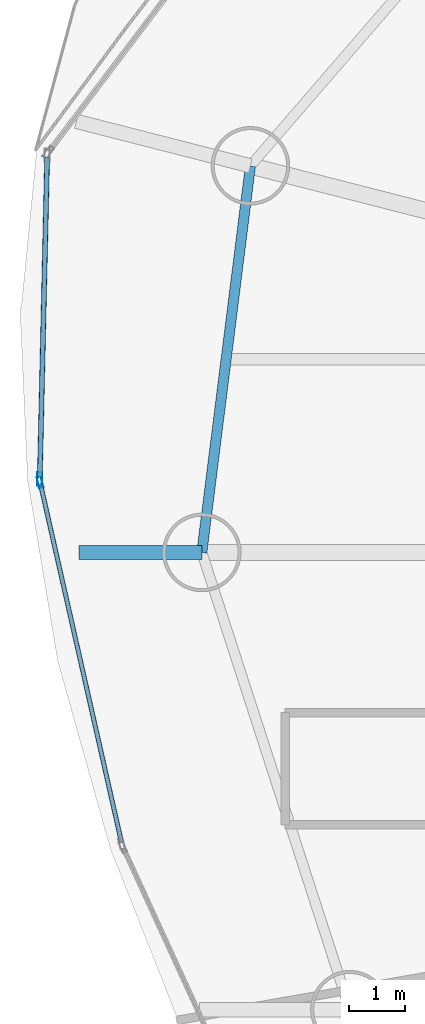
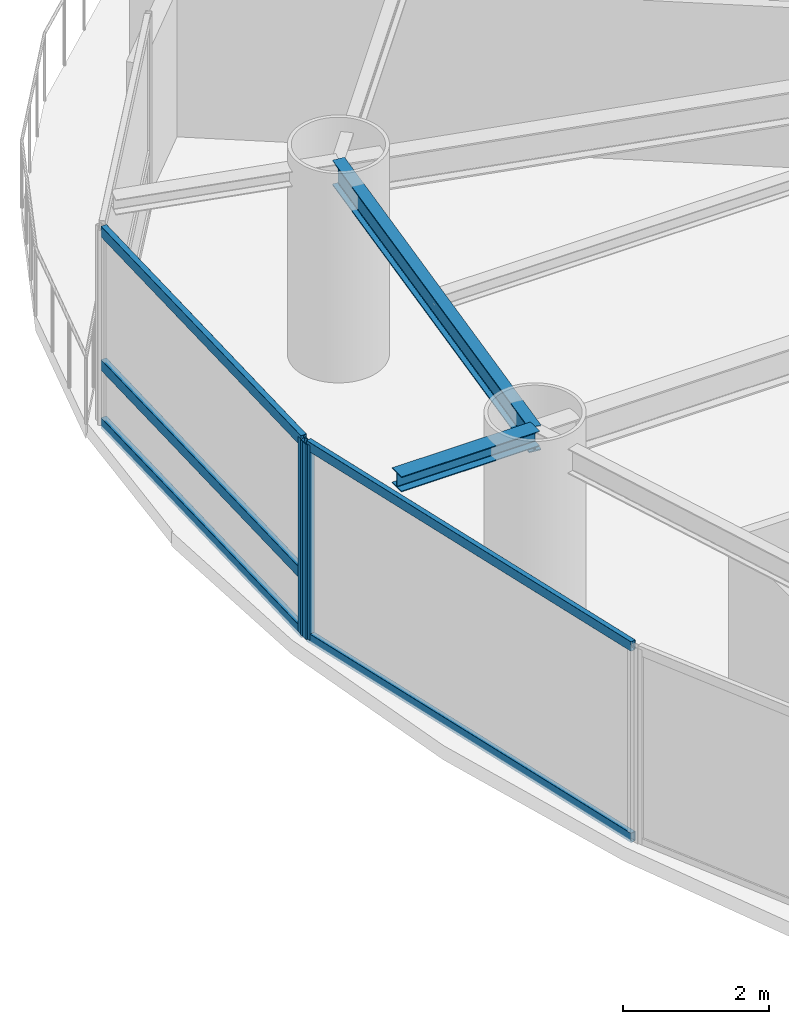
# One storey, part 6 of 20: 7 members, 2 beams, 2 elements without a shape of their own.
"""IFC4 building model written with IfcOpenShell, lengths in metres."""

from ifc_helpers import new_model, si_unit, direction, frame, origin, origin_2d, place, context, subcontext, project, spatial, hollow_rectangle, i_section, extrude, material, layer, layer_set, material_profile, profile_set, type_object, element, aggregate, save


model = new_model("IFC4")

# Units and contexts
model_context = context("Model", 3, precision=1e-05, world=origin(), true_north=direction((0.0, 1.0)))
body_context = subcontext(model_context, "Body", "Model", "MODEL_VIEW")
ifc_project = project(units=[si_unit("LENGTHUNIT", "METRE"), si_unit("AREAUNIT", "SQUARE_METRE"), si_unit("VOLUMEUNIT", "CUBIC_METRE"), si_unit("PLANEANGLEUNIT", "RADIAN"), si_unit("MASSUNIT", "GRAM", prefix="KILO")], contexts=[model_context])

# Site, building, storey
site_placement = place(None, origin())
site = spatial("IfcSite", under=ifc_project, at=site_placement, CompositionType="ELEMENT")
building_placement = place(site_placement, origin())
building = spatial("IfcBuilding", under=site, at=building_placement, Name="Bramvorn Convention Spire", CompositionType="ELEMENT")
storey_placement = place(building_placement, frame((0.0, 0.0, 155.300048828125)))
storey = spatial("IfcBuildingStorey", under=building, at=storey_placement, Name="L39", CompositionType="ELEMENT", Elevation=155.300048828125)

# Beams
ifc_material_1 = material(Name="Steel CSA G40.21 Grade 350 (350W)", Category="steel")
ifc_material_profile_1 = material_profile(ifc_material_1, i_section(OverallWidth=0.25390625, OverallDepth=0.2529296875, WebThickness=0.008544921875, FlangeThickness=0.01416015625, FilletRadius=0.011962890625, at=origin_2d()))
ifc_profile_set_1 = profile_set([ifc_material_profile_1], Name="Steel CSA G40.21 Grade 350 (350W) - W250X73")
beam_type_1 = type_object("IfcBeamType", Name="BM-W250X73", PredefinedType="BEAM", material=ifc_profile_set_1)
beam_1_placement = place(storey_placement, frame((13.016357421875, 29.851806640625, 3.133544921875), z_axis=(-1.0, 0.0, 0.0), x_axis=(0.0, -1.0, 0.0)))
element("IfcBeam", 1, at=beam_1_placement, inside=storey, type_object=beam_type_1, Name="L39 slab-edge cantilever tip beam MC10", PredefinedType="BEAM", context=body_context, shape_type="SweptSolid", body=[
    extrude(i_section(OverallWidth=0.25390625, OverallDepth=0.2529296875, WebThickness=0.008544921875, FlangeThickness=0.01416015625, FilletRadius=0.011962890625, at=origin_2d()), origin(), (0.0, 0.0, 1.0), 2.18505859375),
])
ifc_material_profile_2 = material_profile(ifc_material_1, i_section(OverallWidth=0.180908203125, OverallDepth=0.4169921875, WebThickness=0.010986328125, FlangeThickness=0.018310546875, FilletRadius=0.01611328125, at=origin_2d()))
ifc_profile_set_2 = profile_set([ifc_material_profile_2], Name="Steel CSA G40.21 Grade 350 (350W) - W410X85")
beam_type_2 = type_object("IfcBeamType", Name="BM-W410X85", PredefinedType="JOIST", material=ifc_profile_set_2)
beam_2_placement = place(storey_placement, frame((13.88232421875, 36.73779296875, 3.051513671875), z_axis=(-0.124775053879, -0.992185056292, 0.0), x_axis=(0.992185056292, -0.124775053879, 0.0)))
element("IfcBeam", 2, at=beam_2_placement, inside=storey, type_object=beam_type_2, Name="L39 mega-column ring beam 09", PredefinedType="JOIST", context=body_context, shape_type="SweptSolid", body=[
    extrude(i_section(OverallWidth=0.180908203125, OverallDepth=0.4169921875, WebThickness=0.010986328125, FlangeThickness=0.018310546875, FilletRadius=0.01611328125, at=origin_2d()), origin(), (0.0, 0.0, 1.0), 6.940185546875),
])

# Curtain wall, member
ifc_material_2 = material(Name="Anodised Bronze Unitised Curtain Wall", Category="aluminium")
ifc_layer_1 = layer(ifc_material_2, 0.179931640625)
ifc_layer_set_1 = layer_set([ifc_layer_1], Name="Anodised Bronze Unitised Curtain Wall - CW-HTL-FRIT")
curtain_wall_type_1 = type_object("IfcCurtainWallType", Name="CW-HTL-FRIT", PredefinedType="USERDEFINED", material=ifc_layer_set_1)
curtain_wall_1_placement = place(storey_placement, origin())
curtain_wall_1 = element("IfcCurtainWall", 3, at=curtain_wall_1_placement, inside=storey, type_object=curtain_wall_type_1, Name="L39 fritted glass curtain wall 15", ObjectType="UNITISED CURTAIN WALL", PredefinedType="USERDEFINED")
ifc_material_3 = material(Name="Anodised Bronze Aluminium 6063-T6", Category="aluminium")
ifc_material_profile_3 = material_profile(ifc_material_3, hollow_rectangle(XDim=0.080078125, YDim=0.199951171875, WallThickness=0.00390625, InnerFilletRadius=0.0009765625, OuterFilletRadius=0.00390625, at=origin_2d()))
ifc_profile_set_3 = profile_set([ifc_material_profile_3], Name="Anodised Bronze Aluminium 6063-T6 - CWM80X200")
member_type_1 = type_object("IfcMemberType", Name="CW-MUL-180", PredefinedType="MULLION", material=ifc_profile_set_3)
member_1_placement = place(storey_placement, frame((10.13623046875, 31.101318359375, 0.0), z_axis=(0.0, 0.0, 1.0), x_axis=(-0.975392313454, -0.220476381627, 0.0)))
member_1 = element("IfcMember", 4, at=member_1_placement, type_object=member_type_1, Name="CW2 mullion 2", PredefinedType="MULLION", context=body_context, shape_type="SweptSolid", body=[
    extrude(hollow_rectangle(XDim=0.080078125, YDim=0.199951171875, WallThickness=0.00390625, InnerFilletRadius=0.0009765625, OuterFilletRadius=0.00390625, at=origin_2d()), origin(), (0.0, 0.0, 1.0), 3.260009765625),
])

ifc_layer_2 = layer(ifc_material_2, 0.219970703125)
ifc_layer_set_2 = layer_set([ifc_layer_2], Name="Anodised Bronze Unitised Curtain Wall - CW-SKYGARDEN")
curtain_wall_type_2 = type_object("IfcCurtainWallType", Name="CW-SKYGARDEN", PredefinedType="USERDEFINED", material=ifc_layer_set_2)
curtain_wall_2_placement = place(storey_placement, origin())
curtain_wall_2 = element("IfcCurtainWall", 5, at=curtain_wall_2_placement, inside=storey, type_object=curtain_wall_type_2, Name="L39 Sky Garden glazed facade 14", ObjectType="WINTER GARDEN GLAZING", PredefinedType="USERDEFINED")
ifc_material_profile_4 = material_profile(ifc_material_3, hollow_rectangle(XDim=0.090087890625, YDim=0.239990234375, WallThickness=0.00439453125, InnerFilletRadius=0.0009765625, OuterFilletRadius=0.00439453125, at=origin_2d()))
ifc_profile_set_4 = profile_set([ifc_material_profile_4], Name="Anodised Bronze Aluminium 6063-T6 - CWM90X240")
member_type_2 = type_object("IfcMemberType", Name="CW-MUL-220", PredefinedType="MULLION", material=ifc_profile_set_4)
member_2_placement = place(storey_placement, frame((10.13037109375, 31.16064453125, 0.0), z_axis=(0.0, 0.0, 1.0), x_axis=(-0.999739489524, 0.022824396721, 0.0)))
member_2 = element("IfcMember", 6, at=member_2_placement, type_object=member_type_2, Name="CW4 mullion 1", PredefinedType="MULLION", context=body_context, shape_type="SweptSolid", body=[
    extrude(hollow_rectangle(XDim=0.090087890625, YDim=0.239990234375, WallThickness=0.00439453125, InnerFilletRadius=0.0009765625, OuterFilletRadius=0.00439453125, at=origin_2d()), origin(), (0.0, 0.0, 1.0), 3.260009765625),
])

# Member
ifc_material_profile_5 = material_profile(ifc_material_3, hollow_rectangle(XDim=0.080078125, YDim=0.159912109375, WallThickness=0.00390625, InnerFilletRadius=0.0009765625, OuterFilletRadius=0.00390625, at=origin_2d()))
ifc_profile_set_5 = profile_set([ifc_material_profile_5], Name="Anodised Bronze Aluminium 6063-T6 - CWT80X160")
member_type_3 = type_object("IfcMemberType", Name="CW-TRN-150", PredefinedType="USERDEFINED", material=ifc_profile_set_5)
member_3_placement = place(storey_placement, frame((11.5859375, 24.68798828125, 0.030029296875), z_axis=(-0.220487553538, 0.975389788103, 0.0), x_axis=(-0.975389788103, -0.220487553538, 0.0)))
member_3 = element("IfcMember", 7, at=member_3_placement, type_object=member_type_3, Name="CW2 transom 1.1", ObjectType="TRANSOM", PredefinedType="USERDEFINED", context=body_context, shape_type="SweptSolid", body=[
    extrude(hollow_rectangle(XDim=0.080078125, YDim=0.159912109375, WallThickness=0.00390625, InnerFilletRadius=0.0009765625, OuterFilletRadius=0.00390625, at=origin_2d()), origin(), (0.0, 0.0, 1.0), 6.545166015625),
])

member_4_placement = place(storey_placement, frame((11.5859375, 24.68798828125, 3.22998046875), z_axis=(-0.220487553538, 0.975389788103, 0.0), x_axis=(-0.975389788103, -0.220487553538, 0.0)))
member_4 = element("IfcMember", 8, at=member_4_placement, type_object=member_type_3, Name="CW2 transom 1.2", ObjectType="TRANSOM", PredefinedType="USERDEFINED", context=body_context, shape_type="SweptSolid", body=[
    extrude(hollow_rectangle(XDim=0.080078125, YDim=0.159912109375, WallThickness=0.00390625, InnerFilletRadius=0.0009765625, OuterFilletRadius=0.00390625, at=origin_2d()), origin(), (0.0, 0.0, 1.0), 6.545166015625),
])

aggregate(curtain_wall_1, [member_1, member_3, member_4])

ifc_material_profile_6 = material_profile(ifc_material_3, hollow_rectangle(XDim=0.090087890625, YDim=0.179931640625, WallThickness=0.00439453125, InnerFilletRadius=0.0009765625, OuterFilletRadius=0.00439453125, at=origin_2d()))
ifc_profile_set_6 = profile_set([ifc_material_profile_6], Name="Anodised Bronze Aluminium 6063-T6 - CWT90X180")
member_type_4 = type_object("IfcMemberType", Name="CW-TRN-180", PredefinedType="USERDEFINED", material=ifc_profile_set_6)
member_5_placement = place(storey_placement, frame((10.131103515625, 31.190673828125, 0.030029296875), z_axis=(0.02281865441, 0.999739620607, 0.0), x_axis=(-0.999739620607, 0.02281865441, 0.0)))
member_5 = element("IfcMember", 9, at=member_5_placement, type_object=member_type_4, Name="CW4 transom 1.1", ObjectType="TRANSOM", PredefinedType="USERDEFINED", context=body_context, shape_type="SweptSolid", body=[
    extrude(hollow_rectangle(XDim=0.090087890625, YDim=0.179931640625, WallThickness=0.00439453125, InnerFilletRadius=0.0009765625, OuterFilletRadius=0.00439453125, at=origin_2d()), origin(), (0.0, 0.0, 1.0), 5.70263671875),
])

member_6_placement = place(storey_placement, frame((10.131103515625, 31.190673828125, 1.0), z_axis=(0.02281865441, 0.999739620607, 0.0), x_axis=(-0.999739620607, 0.02281865441, 0.0)))
member_6 = element("IfcMember", 10, at=member_6_placement, type_object=member_type_4, Name="CW4 transom 1.2", ObjectType="TRANSOM", PredefinedType="USERDEFINED", context=body_context, shape_type="SweptSolid", body=[
    extrude(hollow_rectangle(XDim=0.090087890625, YDim=0.179931640625, WallThickness=0.00439453125, InnerFilletRadius=0.0009765625, OuterFilletRadius=0.00439453125, at=origin_2d()), origin(), (0.0, 0.0, 1.0), 5.70263671875),
])

member_7_placement = place(storey_placement, frame((10.131103515625, 31.190673828125, 3.22998046875), z_axis=(0.02281865441, 0.999739620607, 0.0), x_axis=(-0.999739620607, 0.02281865441, 0.0)))
member_7 = element("IfcMember", 11, at=member_7_placement, type_object=member_type_4, Name="CW4 transom 1.3", ObjectType="TRANSOM", PredefinedType="USERDEFINED", context=body_context, shape_type="SweptSolid", body=[
    extrude(hollow_rectangle(XDim=0.090087890625, YDim=0.179931640625, WallThickness=0.00439453125, InnerFilletRadius=0.0009765625, OuterFilletRadius=0.00439453125, at=origin_2d()), origin(), (0.0, 0.0, 1.0), 5.70263671875),
])

aggregate(curtain_wall_2, [member_2, member_5, member_6, member_7])

save(model, "model.ifc")
